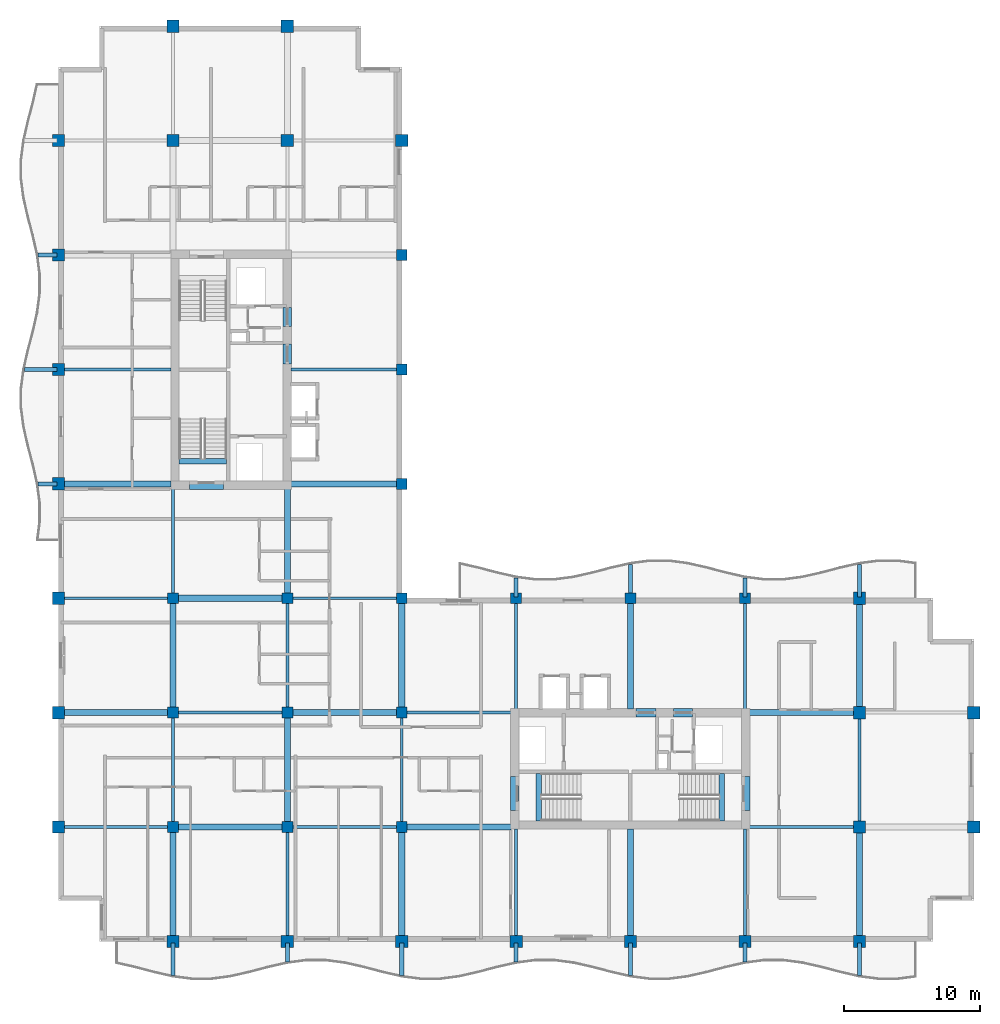
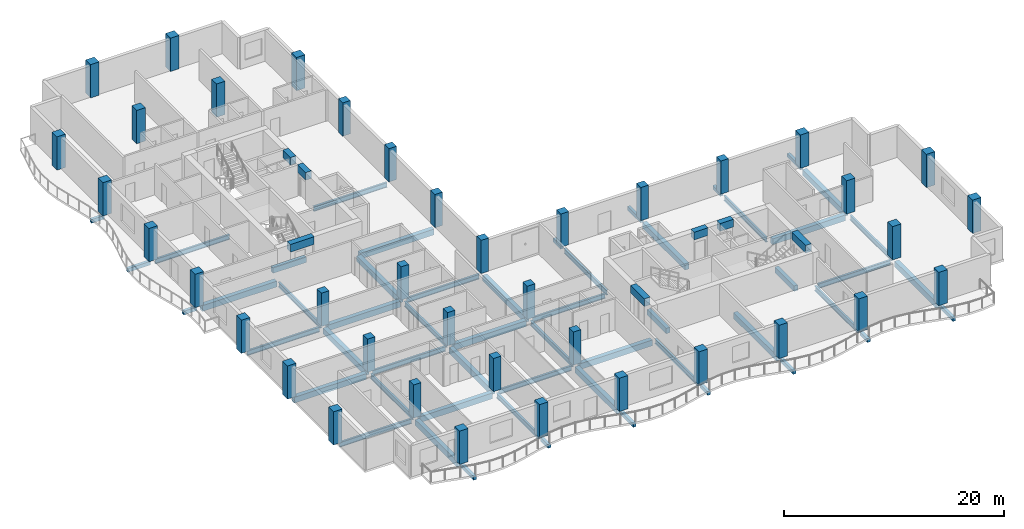
# One storey, part 1 of 12: 61 beams, 39 columns.
"""IFC4 building model written with IfcOpenShell, lengths in metres."""

from ifc_helpers import new_model, si_unit, direction, frame, origin, origin_2d, place, context, subcontext, project, spatial, rectangle, i_section, extrude, material, material_profile, profile_set, type_object, element, save


model = new_model("IFC4")

# Units and contexts
model_context = context("Model", 3, precision=1e-05, world=origin(), true_north=direction((0.0, 1.0)))
body_context = subcontext(model_context, "Body", "Model", "MODEL_VIEW")
ifc_project = project(units=[si_unit("LENGTHUNIT", "METRE"), si_unit("AREAUNIT", "SQUARE_METRE"), si_unit("VOLUMEUNIT", "CUBIC_METRE"), si_unit("PLANEANGLEUNIT", "RADIAN"), si_unit("MASSUNIT", "GRAM", prefix="KILO")], contexts=[model_context])

# Site, building, storey
site_placement = place(None, origin())
site = spatial("IfcSite", under=ifc_project, at=site_placement, CompositionType="ELEMENT")
building_placement = place(site_placement, origin())
building = spatial("IfcBuilding", under=site, at=building_placement, Name="Koriwani Terraces Tower", CompositionType="ELEMENT")
storey_placement = place(building_placement, frame((0.0, 0.0, 263.800048828125)))
storey = spatial("IfcBuildingStorey", under=building, at=storey_placement, Name="L65", CompositionType="ELEMENT", Elevation=263.800048828125)

# Columns
ifc_material_1 = material(Name="Concrete C50/60", Category="concrete")
ifc_material_profile_1 = material_profile(ifc_material_1, rectangle(XDim=0.800048828125, YDim=0.800048828125, at=origin_2d()), Name="Concrete C50/60", Category="LoadBearing")
ifc_profile_set_1 = profile_set([ifc_material_profile_1], Name="Concrete C50/60")
column_type_1 = type_object("IfcColumnType", Name="COL_RC_800X800", PredefinedType="COLUMN", material=ifc_profile_set_1)
for number, where, z_axis, x_axis, name in (
    (1, (16.800048828125, 16.800048828125, 0.0), (0.0, 0.0, 1.0), (1.0, 0.0, 0.0), "L65 Column 3/C"),
    (2, (16.800048828125, 25.199951171875, 0.0), (0.0, 0.0, 1.0), (1.0, 0.0, 0.0), "L65 Column 3/D"),
    (3, (16.800048828125, 33.60009765625, 0.0), (0.0, 0.0, 1.0), (1.0, 0.0, 0.0), "L65 Column 3/E"),
    (4, (25.199951171875, 16.800048828125, 0.0), (0.0, 0.0, 1.0), (1.0, 0.0, 0.0), "L65 Column 4/C"),
    (5, (25.199951171875, 25.199951171875, 0.0), (0.0, 0.0, 1.0), (1.0, 0.0, 0.0), "L65 Column 4/D"),
    (6, (25.199951171875, 33.60009765625, 0.0), (0.0, 0.0, 1.0), (1.0, 0.0, 0.0), "L65 Column 4/E"),
    (7, (33.60009765625, 16.800048828125, 0.0), (0.0, 0.0, 1.0), (1.0, 0.0, 0.0), "L65 Column 5/C"),
    (8, (33.60009765625, 25.199951171875, 0.0), (0.0, 0.0, 1.0), (1.0, 0.0, 0.0), "L65 Column 5/D"),
    (9, (33.60009765625, 33.60009765625, 0.0), (0.0, 0.0, 1.0), (1.0, 0.0, 0.0), "L65 Column 5/E"),
    (10, (33.60009765625, 42.0, 0.0), (0.0, 0.0, 1.0), (1.0, 0.0, 0.0), "L65 Column 5/F"),
    (11, (33.60009765625, 50.39990234375, 0.0), (0.0, 0.0, 1.0), (1.0, 0.0, 0.0), "L65 Column 5/G"),
    (12, (33.60009765625, 58.800048828125, 0.0), (0.0, 0.0, 1.0), (1.0, 0.0, 0.0), "L65 Column 5/H"),
    (13, (42.0, 33.60009765625, 0.0), (0.0, 0.0, 1.0), (1.0, 0.0, 0.0), "L65 Column 6/E"),
    (14, (50.39990234375, 33.60009765625, 0.0), (0.0, 0.0, 1.0), (1.0, 0.0, 0.0), "L65 Column 7/E"),
    (15, (58.800048828125, 33.60009765625, 0.0), (0.0, 0.0, 1.0), (1.0, 0.0, 0.0), "L65 Column 8/E"),
):
    element("IfcColumn", number, at=place(storey_placement, frame(where, z_axis=z_axis, x_axis=x_axis)), inside=storey, type_object=column_type_1, Name=name, PredefinedType="COLUMN", context=body_context, shape_type="SweptSolid", body=[
        extrude(rectangle(XDim=0.800048828125, YDim=0.800048828125, at=origin_2d()), origin(), (0.0, 0.0, 1.0), 3.699951171875),
    ])
ifc_material_profile_2 = material_profile(ifc_material_1, rectangle(XDim=0.89990234375, YDim=0.89990234375, at=origin_2d()), Name="Concrete C50/60", Category="LoadBearing")
ifc_profile_set_2 = profile_set([ifc_material_profile_2], Name="Concrete C50/60")
column_type_2 = type_object("IfcColumnType", Name="COL_RC_900X900", PredefinedType="COLUMN", material=ifc_profile_set_2)
for number, where, z_axis, x_axis, name in (
    (16, (8.39990234375, 16.800048828125, 0.0), (0.0, 0.0, 1.0), (1.0, 0.0, 0.0), "L65 Column 2/C"),
    (17, (8.39990234375, 25.199951171875, 0.0), (0.0, 0.0, 1.0), (1.0, 0.0, 0.0), "L65 Column 2/D"),
    (18, (8.39990234375, 33.60009765625, 0.0), (0.0, 0.0, 1.0), (1.0, 0.0, 0.0), "L65 Column 2/E"),
    (19, (8.39990234375, 42.0, 0.0), (0.0, 0.0, 1.0), (1.0, 0.0, 0.0), "L65 Column 2/F"),
    (20, (8.39990234375, 50.39990234375, 0.0), (0.0, 0.0, 1.0), (1.0, 0.0, 0.0), "L65 Column 2/G"),
    (21, (8.39990234375, 58.800048828125, 0.0), (0.0, 0.0, 1.0), (1.0, 0.0, 0.0), "L65 Column 2/H"),
    (22, (8.39990234375, 67.199951171875, 0.0), (0.0, 0.0, 1.0), (1.0, 0.0, 0.0), "L65 Column 2/I"),
    (23, (16.800048828125, 8.39990234375, 0.0), (0.0, 0.0, 1.0), (1.0, 0.0, 0.0), "L65 Column 3/B"),
    (24, (16.800048828125, 67.199951171875, 0.0), (0.0, 0.0, 1.0), (1.0, 0.0, 0.0), "L65 Column 3/I"),
    (25, (16.800048828125, 75.60009765625, 0.0), (0.0, 0.0, 1.0), (1.0, 0.0, 0.0), "L65 Column 3/J"),
    (26, (25.199951171875, 8.39990234375, 0.0), (0.0, 0.0, 1.0), (1.0, 0.0, 0.0), "L65 Column 4/B"),
    (27, (25.199951171875, 67.199951171875, 0.0), (0.0, 0.0, 1.0), (1.0, 0.0, 0.0), "L65 Column 4/I"),
    (28, (25.199951171875, 75.60009765625, 0.0), (0.0, 0.0, 1.0), (1.0, 0.0, 0.0), "L65 Column 4/J"),
    (29, (33.60009765625, 8.39990234375, 0.0), (0.0, 0.0, 1.0), (1.0, 0.0, 0.0), "L65 Column 5/B"),
    (30, (33.60009765625, 67.199951171875, 0.0), (0.0, 0.0, 1.0), (1.0, 0.0, 0.0), "L65 Column 5/I"),
    (31, (42.0, 8.39990234375, 0.0), (0.0, 0.0, 1.0), (1.0, 0.0, 0.0), "L65 Column 6/B"),
    (32, (50.39990234375, 8.39990234375, 0.0), (0.0, 0.0, 1.0), (1.0, 0.0, 0.0), "L65 Column 7/B"),
    (33, (58.800048828125, 8.39990234375, 0.0), (0.0, 0.0, 1.0), (1.0, 0.0, 0.0), "L65 Column 8/B"),
    (34, (67.199951171875, 8.39990234375, 0.0), (0.0, 0.0, 1.0), (1.0, 0.0, 0.0), "L65 Column 9/B"),
    (35, (67.199951171875, 16.800048828125, 0.0), (0.0, 0.0, 1.0), (1.0, 0.0, 0.0), "L65 Column 9/C"),
    (36, (67.199951171875, 25.199951171875, 0.0), (0.0, 0.0, 1.0), (1.0, 0.0, 0.0), "L65 Column 9/D"),
    (37, (67.199951171875, 33.60009765625, 0.0), (0.0, 0.0, 1.0), (1.0, 0.0, 0.0), "L65 Column 9/E"),
    (38, (75.60009765625, 16.800048828125, 0.0), (0.0, 0.0, 1.0), (1.0, 0.0, 0.0), "L65 Column 10/C"),
    (39, (75.60009765625, 25.199951171875, 0.0), (0.0, 0.0, 1.0), (1.0, 0.0, 0.0), "L65 Column 10/D"),
):
    element("IfcColumn", number, at=place(storey_placement, frame(where, z_axis=z_axis, x_axis=x_axis)), inside=storey, type_object=column_type_2, Name=name, PredefinedType="COLUMN", context=body_context, shape_type="SweptSolid", body=[
        extrude(rectangle(XDim=0.89990234375, YDim=0.89990234375, at=origin_2d()), origin(), (0.0, 0.0, 1.0), 3.699951171875),
    ])

# Beams
ifc_material_2 = material(Name="Concrete C40/50", Category="concrete")
ifc_material_profile_3 = material_profile(ifc_material_2, rectangle(XDim=0.300048828125, YDim=0.39990234375, at=origin_2d()), Name="Concrete C40/50", Category="LoadBearing")
ifc_profile_set_3 = profile_set([ifc_material_profile_3], Name="Concrete C40/50")
beam_type_1 = type_object("IfcBeamType", Name="BEAM_RC_BALCONY_RIB_300X400", PredefinedType="JOIST", material=ifc_profile_set_3)
beam_1_placement = place(storey_placement, frame((16.800048828125, 5.907958984375, -0.429931640625), z_axis=(0.0, 1.0, 0.0), x_axis=(-1.0, 0.0, 0.0)))
element("IfcBeam", 40, at=beam_1_placement, inside=storey, type_object=beam_type_1, Name="L65 Balcony Bracket Rib S-1", PredefinedType="JOIST", context=body_context, shape_type="SweptSolid", body=[
    extrude(rectangle(XDim=0.300048828125, YDim=0.39990234375, at=origin_2d()), origin(), (0.0, 0.0, 1.0), 2.39208984375),
])
beam_2_placement = place(storey_placement, frame((25.199951171875, 6.912109375, -0.429931640625), z_axis=(0.0, 1.0, 0.0), x_axis=(-1.0, 0.0, 0.0)))
element("IfcBeam", 41, at=beam_2_placement, inside=storey, type_object=beam_type_1, Name="L65 Balcony Bracket Rib S-2", PredefinedType="JOIST", context=body_context, shape_type="SweptSolid", body=[
    extrude(rectangle(XDim=0.300048828125, YDim=0.39990234375, at=origin_2d()), origin(), (0.0, 0.0, 1.0), 1.387939453125),
])
beam_3_placement = place(storey_placement, frame((33.60009765625, 5.907958984375, -0.429931640625), z_axis=(0.0, 1.0, 0.0), x_axis=(-1.0, 0.0, 0.0)))
element("IfcBeam", 42, at=beam_3_placement, inside=storey, type_object=beam_type_1, Name="L65 Balcony Bracket Rib S-3", PredefinedType="JOIST", context=body_context, shape_type="SweptSolid", body=[
    extrude(rectangle(XDim=0.300048828125, YDim=0.39990234375, at=origin_2d()), origin(), (0.0, 0.0, 1.0), 2.39208984375),
])
beam_4_placement = place(storey_placement, frame((42.0, 6.912109375, -0.429931640625), z_axis=(0.0, 1.0, 0.0), x_axis=(-1.0, 0.0, 0.0)))
element("IfcBeam", 43, at=beam_4_placement, inside=storey, type_object=beam_type_1, Name="L65 Balcony Bracket Rib S-4", PredefinedType="JOIST", context=body_context, shape_type="SweptSolid", body=[
    extrude(rectangle(XDim=0.300048828125, YDim=0.39990234375, at=origin_2d()), origin(), (0.0, 0.0, 1.0), 1.387939453125),
])
beam_5_placement = place(storey_placement, frame((50.39990234375, 5.907958984375, -0.429931640625), z_axis=(0.0, 1.0, 0.0), x_axis=(-1.0, 0.0, 0.0)))
element("IfcBeam", 44, at=beam_5_placement, inside=storey, type_object=beam_type_1, Name="L65 Balcony Bracket Rib S-5", PredefinedType="JOIST", context=body_context, shape_type="SweptSolid", body=[
    extrude(rectangle(XDim=0.300048828125, YDim=0.39990234375, at=origin_2d()), origin(), (0.0, 0.0, 1.0), 2.39208984375),
])
beam_6_placement = place(storey_placement, frame((58.800048828125, 6.912109375, -0.429931640625), z_axis=(0.0, 1.0, 0.0), x_axis=(-1.0, 0.0, 0.0)))
element("IfcBeam", 45, at=beam_6_placement, inside=storey, type_object=beam_type_1, Name="L65 Balcony Bracket Rib S-6", PredefinedType="JOIST", context=body_context, shape_type="SweptSolid", body=[
    extrude(rectangle(XDim=0.300048828125, YDim=0.39990234375, at=origin_2d()), origin(), (0.0, 0.0, 1.0), 1.387939453125),
])
beam_7_placement = place(storey_placement, frame((67.199951171875, 5.907958984375, -0.429931640625), z_axis=(0.0, 1.0, 0.0), x_axis=(-1.0, 0.0, 0.0)))
element("IfcBeam", 46, at=beam_7_placement, inside=storey, type_object=beam_type_1, Name="L65 Balcony Bracket Rib S-7", PredefinedType="JOIST", context=body_context, shape_type="SweptSolid", body=[
    extrude(rectangle(XDim=0.300048828125, YDim=0.39990234375, at=origin_2d()), origin(), (0.0, 0.0, 1.0), 2.39208984375),
])
beam_8_placement = place(storey_placement, frame((6.912109375, 42.0, -0.429931640625), z_axis=(1.0, 0.0, 0.0), x_axis=(0.0, 1.0, 0.0)))
element("IfcBeam", 47, at=beam_8_placement, inside=storey, type_object=beam_type_1, Name="L65 Balcony Bracket Rib W-1", PredefinedType="JOIST", context=body_context, shape_type="SweptSolid", body=[
    extrude(rectangle(XDim=0.300048828125, YDim=0.39990234375, at=origin_2d()), origin(), (0.0, 0.0, 1.0), 1.387939453125),
])
beam_9_placement = place(storey_placement, frame((5.907958984375, 50.39990234375, -0.429931640625), z_axis=(1.0, 0.0, 0.0), x_axis=(0.0, 1.0, 0.0)))
element("IfcBeam", 48, at=beam_9_placement, inside=storey, type_object=beam_type_1, Name="L65 Balcony Bracket Rib W-2", PredefinedType="JOIST", context=body_context, shape_type="SweptSolid", body=[
    extrude(rectangle(XDim=0.300048828125, YDim=0.39990234375, at=origin_2d()), origin(), (0.0, 0.0, 1.0), 2.39208984375),
])
for number, where, z_axis, x_axis, name in (
    (49, (6.912109375, 58.800048828125, -0.429931640625), (1.0, 0.0, 0.0), (0.0, 1.0, 0.0), "L65 Balcony Bracket Rib W-3"),
    (50, (42.0, 33.699951171875, -0.429931640625), (0.0, 1.0, 0.0), (-1.0, 0.0, 0.0), "L65 Balcony Bracket Rib NE-1"),
):
    element("IfcBeam", number, at=place(storey_placement, frame(where, z_axis=z_axis, x_axis=x_axis)), inside=storey, type_object=beam_type_1, Name=name, PredefinedType="JOIST", context=body_context, shape_type="SweptSolid", body=[
        extrude(rectangle(XDim=0.300048828125, YDim=0.39990234375, at=origin_2d()), origin(), (0.0, 0.0, 1.0), 1.387939453125),
    ])
beam_10_placement = place(storey_placement, frame((50.39990234375, 33.699951171875, -0.429931640625), z_axis=(0.0, 1.0, 0.0), x_axis=(-1.0, 0.0, 0.0)))
element("IfcBeam", 51, at=beam_10_placement, inside=storey, type_object=beam_type_1, Name="L65 Balcony Bracket Rib NE-2", PredefinedType="JOIST", context=body_context, shape_type="SweptSolid", body=[
    extrude(rectangle(XDim=0.300048828125, YDim=0.39990234375, at=origin_2d()), origin(), (0.0, 0.0, 1.0), 2.39208984375),
])
beam_11_placement = place(storey_placement, frame((58.800048828125, 33.699951171875, -0.429931640625), z_axis=(0.0, 1.0, 0.0), x_axis=(-1.0, 0.0, 0.0)))
element("IfcBeam", 52, at=beam_11_placement, inside=storey, type_object=beam_type_1, Name="L65 Balcony Bracket Rib NE-3", PredefinedType="JOIST", context=body_context, shape_type="SweptSolid", body=[
    extrude(rectangle(XDim=0.300048828125, YDim=0.39990234375, at=origin_2d()), origin(), (0.0, 0.0, 1.0), 1.387939453125),
])
beam_12_placement = place(storey_placement, frame((67.199951171875, 33.699951171875, -0.429931640625), z_axis=(0.0, 1.0, 0.0), x_axis=(-1.0, 0.0, 0.0)))
element("IfcBeam", 53, at=beam_12_placement, inside=storey, type_object=beam_type_1, Name="L65 Balcony Bracket Rib NE-4", PredefinedType="JOIST", context=body_context, shape_type="SweptSolid", body=[
    extrude(rectangle(XDim=0.300048828125, YDim=0.39990234375, at=origin_2d()), origin(), (0.0, 0.0, 1.0), 2.39208984375),
])
ifc_material_profile_4 = material_profile(ifc_material_1, rectangle(XDim=0.60009765625, YDim=0.85009765625, at=origin_2d()), Name="Concrete C50/60", Category="LoadBearing")
ifc_profile_set_4 = profile_set([ifc_material_profile_4], Name="Concrete C50/60")
beam_type_2 = type_object("IfcBeamType", Name="BEAM_RC_COUPLING_600X850", PredefinedType="LINTEL", material=ifc_profile_set_4)
beam_13_placement = place(storey_placement, frame((25.199951171875, 50.800048828125, 3.044921875), z_axis=(0.0, 1.0, 0.0), x_axis=(-1.0, 0.0, 0.0)))
element("IfcBeam", 54, at=beam_13_placement, inside=storey, type_object=beam_type_2, Name="L65 Core Coupling Lintel Beam WE1", PredefinedType="LINTEL", context=body_context, shape_type="SweptSolid", body=[
    extrude(rectangle(XDim=0.60009765625, YDim=0.85009765625, at=origin_2d()), origin(), (0.0, 0.0, 1.0), 1.47998046875),
])
beam_14_placement = place(storey_placement, frame((25.199951171875, 53.550048828125, 3.044921875), z_axis=(0.0, 1.0, 0.0), x_axis=(-1.0, 0.0, 0.0)))
element("IfcBeam", 55, at=beam_14_placement, inside=storey, type_object=beam_type_2, Name="L65 Core Coupling Lintel Beam WE2", PredefinedType="LINTEL", context=body_context, shape_type="SweptSolid", body=[
    extrude(rectangle(XDim=0.60009765625, YDim=0.85009765625, at=origin_2d()), origin(), (0.0, 0.0, 1.0), 1.39990234375),
])
beam_15_placement = place(storey_placement, frame((18.0, 41.89990234375, 3.044921875), z_axis=(1.0, 0.0, 0.0), x_axis=(0.0, 1.0, 0.0)))
element("IfcBeam", 56, at=beam_15_placement, inside=storey, type_object=beam_type_2, Name="L65 Core Coupling Lintel Beam WS", PredefinedType="LINTEL", context=body_context, shape_type="SweptSolid", body=[
    extrude(rectangle(XDim=0.60009765625, YDim=0.85009765625, at=origin_2d()), origin(), (0.0, 0.0, 1.0), 2.5),
])
beam_16_placement = place(storey_placement, frame((50.800048828125, 25.199951171875, 3.044921875), z_axis=(1.0, 0.0, 0.0), x_axis=(0.0, 1.0, 0.0)))
element("IfcBeam", 57, at=beam_16_placement, inside=storey, type_object=beam_type_2, Name="L65 Core Coupling Lintel Beam EN1", PredefinedType="LINTEL", context=body_context, shape_type="SweptSolid", body=[
    extrude(rectangle(XDim=0.60009765625, YDim=0.85009765625, at=origin_2d()), origin(), (0.0, 0.0, 1.0), 1.47998046875),
])
beam_17_placement = place(storey_placement, frame((53.550048828125, 25.199951171875, 3.044921875), z_axis=(1.0, 0.0, 0.0), x_axis=(0.0, 1.0, 0.0)))
element("IfcBeam", 58, at=beam_17_placement, inside=storey, type_object=beam_type_2, Name="L65 Core Coupling Lintel Beam EN2", PredefinedType="LINTEL", context=body_context, shape_type="SweptSolid", body=[
    extrude(rectangle(XDim=0.60009765625, YDim=0.85009765625, at=origin_2d()), origin(), (0.0, 0.0, 1.0), 1.39990234375),
])
for number, where, z_axis, x_axis, name in (
    (59, (41.89990234375, 18.0, 3.044921875), (0.0, 1.0, 0.0), (-1.0, 0.0, 0.0), "L65 Core Coupling Lintel Beam EW"),
    (60, (58.85009765625, 18.0, 3.044921875), (0.0, 1.0, 0.0), (-1.0, 0.0, 0.0), "L65 Core Coupling Lintel Beam EE"),
):
    element("IfcBeam", number, at=place(storey_placement, frame(where, z_axis=z_axis, x_axis=x_axis)), inside=storey, type_object=beam_type_2, Name=name, PredefinedType="LINTEL", context=body_context, shape_type="SweptSolid", body=[
        extrude(rectangle(XDim=0.60009765625, YDim=0.85009765625, at=origin_2d()), origin(), (0.0, 0.0, 1.0), 2.5),
    ])
ifc_material_profile_5 = material_profile(ifc_material_2, rectangle(XDim=0.39990234375, YDim=0.60009765625, at=origin_2d()), Name="Concrete C40/50", Category="LoadBearing")
ifc_profile_set_5 = profile_set([ifc_material_profile_5], Name="Concrete C40/50")
beam_type_3 = type_object("IfcBeamType", Name="BEAM_RC_GRID_400X600", PredefinedType="BEAM", material=ifc_profile_set_5)
for number, where, z_axis, x_axis, name in (
    (61, (17.25, 43.655029296875, -0.300048828125), (1.0, 0.0, 0.0), (0.0, 1.0, 0.0), "L65 Stairwell Header Trimmer Beam ST-W1"),
    (62, (43.655029296875, 17.25, -0.300048828125), (0.0, 1.0, 0.0), (-1.0, 0.0, 0.0), "L65 Stairwell Header Trimmer Beam ST-E1"),
    (63, (57.094970703125, 17.25, -0.300048828125), (0.0, 1.0, 0.0), (-1.0, 0.0, 0.0), "L65 Stairwell Header Trimmer Beam ST-E2"),
):
    element("IfcBeam", number, at=place(storey_placement, frame(where, z_axis=z_axis, x_axis=x_axis)), inside=storey, type_object=beam_type_3, Name=name, PredefinedType="BEAM", context=body_context, shape_type="SweptSolid", body=[
        extrude(rectangle(XDim=0.39990234375, YDim=0.60009765625, at=origin_2d()), origin(), (0.0, 0.0, 1.0), 3.5),
    ])
ifc_material_profile_6 = material_profile(ifc_material_1, rectangle(XDim=0.449951171875, YDim=0.64990234375, at=origin_2d()), Name="Concrete C50/60", Category="LoadBearing")
ifc_profile_set_6 = profile_set([ifc_material_profile_6], Name="Concrete C50/60")
beam_type_4 = type_object("IfcBeamType", Name="BEAM_RC_GRID_450X650", PredefinedType="BEAM", material=ifc_profile_set_6)
for number, where, z_axis, x_axis, name in (
    (64, (17.179931640625, 16.800048828125, -0.554931640625), (1.0, 0.0, 0.0), (0.0, 1.0, 0.0), "L65 Grid Beam C (16.8-25.2m)"),
    (65, (33.97998046875, 16.800048828125, -0.554931640625), (1.0, 0.0, 0.0), (0.0, 1.0, 0.0), "L65 Grid Beam C (33.6-42.0m)"),
):
    element("IfcBeam", number, at=place(storey_placement, frame(where, z_axis=z_axis, x_axis=x_axis)), inside=storey, type_object=beam_type_4, Name=name, PredefinedType="BEAM", context=body_context, shape_type="SweptSolid", body=[
        extrude(rectangle(XDim=0.449951171875, YDim=0.64990234375, at=origin_2d()), origin(), (0.0, 0.0, 1.0), 7.64013671875),
    ])
beam_18_placement = place(storey_placement, frame((8.830078125, 25.199951171875, -0.554931640625), z_axis=(1.0, 0.0, 0.0), x_axis=(0.0, 1.0, 0.0)))
element("IfcBeam", 66, at=beam_18_placement, inside=storey, type_object=beam_type_4, Name="L65 Grid Beam D (8.4-16.8m)", PredefinedType="BEAM", context=body_context, shape_type="SweptSolid", body=[
    extrude(rectangle(XDim=0.449951171875, YDim=0.64990234375, at=origin_2d()), origin(), (0.0, 0.0, 1.0), 7.58984375),
])
beam_19_placement = place(storey_placement, frame((25.580078125, 25.199951171875, -0.554931640625), z_axis=(1.0, 0.0, 0.0), x_axis=(0.0, 1.0, 0.0)))
element("IfcBeam", 67, at=beam_19_placement, inside=storey, type_object=beam_type_4, Name="L65 Grid Beam D (25.2-33.6m)", PredefinedType="BEAM", context=body_context, shape_type="SweptSolid", body=[
    extrude(rectangle(XDim=0.449951171875, YDim=0.64990234375, at=origin_2d()), origin(), (0.0, 0.0, 1.0), 7.639892578125),
])
for number, where, z_axis, x_axis, name in (
    (68, (59.1298828125, 25.199951171875, -0.554931640625), (1.0, 0.0, 0.0), (0.0, 1.0, 0.0), "L65 Grid Beam D (58.8-67.2m)"),
    (69, (17.179931640625, 33.60009765625, -0.554931640625), (1.0, 0.0, 0.0), (0.0, 1.0, 0.0), "L65 Grid Beam E (16.8-25.2m)"),
):
    element("IfcBeam", number, at=place(storey_placement, frame(where, z_axis=z_axis, x_axis=x_axis)), inside=storey, type_object=beam_type_4, Name=name, PredefinedType="BEAM", context=body_context, shape_type="SweptSolid", body=[
        extrude(rectangle(XDim=0.449951171875, YDim=0.64990234375, at=origin_2d()), origin(), (0.0, 0.0, 1.0), 7.64013671875),
    ])
beam_20_placement = place(storey_placement, frame((8.830078125, 42.0, -0.554931640625), z_axis=(1.0, 0.0, 0.0), x_axis=(0.0, 1.0, 0.0)))
element("IfcBeam", 70, at=beam_20_placement, inside=storey, type_object=beam_type_4, Name="L65 Grid Beam F (8.4-16.8m)", PredefinedType="BEAM", context=body_context, shape_type="SweptSolid", body=[
    extrude(rectangle(XDim=0.449951171875, YDim=0.64990234375, at=origin_2d()), origin(), (0.0, 0.0, 1.0), 7.83984375),
])
beam_21_placement = place(storey_placement, frame((25.47998046875, 42.0, -0.554931640625), z_axis=(1.0, 0.0, 0.0), x_axis=(0.0, 1.0, 0.0)))
element("IfcBeam", 71, at=beam_21_placement, inside=storey, type_object=beam_type_4, Name="L65 Grid Beam F (25.2-33.6m)", PredefinedType="BEAM", context=body_context, shape_type="SweptSolid", body=[
    extrude(rectangle(XDim=0.449951171875, YDim=0.64990234375, at=origin_2d()), origin(), (0.0, 0.0, 1.0), 7.739990234375),
])
beam_22_placement = place(storey_placement, frame((16.800048828125, 8.830078125, -0.554931640625), z_axis=(0.0, 1.0, 0.0), x_axis=(-1.0, 0.0, 0.0)))
element("IfcBeam", 72, at=beam_22_placement, inside=storey, type_object=beam_type_4, Name="L65 Grid Beam 3 (8.4-16.8m)", PredefinedType="BEAM", context=body_context, shape_type="SweptSolid", body=[
    extrude(rectangle(XDim=0.449951171875, YDim=0.64990234375, at=origin_2d()), origin(), (0.0, 0.0, 1.0), 7.58984375),
])
beam_23_placement = place(storey_placement, frame((16.800048828125, 25.580078125, -0.554931640625), z_axis=(0.0, 1.0, 0.0), x_axis=(-1.0, 0.0, 0.0)))
element("IfcBeam", 73, at=beam_23_placement, inside=storey, type_object=beam_type_4, Name="L65 Grid Beam 3 (25.2-33.6m)", PredefinedType="BEAM", context=body_context, shape_type="SweptSolid", body=[
    extrude(rectangle(XDim=0.449951171875, YDim=0.64990234375, at=origin_2d()), origin(), (0.0, 0.0, 1.0), 7.639892578125),
])
for number, where, z_axis, x_axis, name in (
    (74, (25.199951171875, 17.179931640625, -0.554931640625), (0.0, 1.0, 0.0), (-1.0, 0.0, 0.0), "L65 Grid Beam 4 (16.8-25.2m)"),
    (75, (25.199951171875, 33.97998046875, -0.554931640625), (0.0, 1.0, 0.0), (-1.0, 0.0, 0.0), "L65 Grid Beam 4 (33.6-42.0m)"),
):
    element("IfcBeam", number, at=place(storey_placement, frame(where, z_axis=z_axis, x_axis=x_axis)), inside=storey, type_object=beam_type_4, Name=name, PredefinedType="BEAM", context=body_context, shape_type="SweptSolid", body=[
        extrude(rectangle(XDim=0.449951171875, YDim=0.64990234375, at=origin_2d()), origin(), (0.0, 0.0, 1.0), 7.64013671875),
    ])
beam_24_placement = place(storey_placement, frame((33.60009765625, 8.830078125, -0.554931640625), z_axis=(0.0, 1.0, 0.0), x_axis=(-1.0, 0.0, 0.0)))
element("IfcBeam", 76, at=beam_24_placement, inside=storey, type_object=beam_type_4, Name="L65 Grid Beam 5 (8.4-16.8m)", PredefinedType="BEAM", context=body_context, shape_type="SweptSolid", body=[
    extrude(rectangle(XDim=0.449951171875, YDim=0.64990234375, at=origin_2d()), origin(), (0.0, 0.0, 1.0), 7.58984375),
])
beam_25_placement = place(storey_placement, frame((33.60009765625, 25.580078125, -0.554931640625), z_axis=(0.0, 1.0, 0.0), x_axis=(-1.0, 0.0, 0.0)))
element("IfcBeam", 77, at=beam_25_placement, inside=storey, type_object=beam_type_4, Name="L65 Grid Beam 5 (25.2-33.6m)", PredefinedType="BEAM", context=body_context, shape_type="SweptSolid", body=[
    extrude(rectangle(XDim=0.449951171875, YDim=0.64990234375, at=origin_2d()), origin(), (0.0, 0.0, 1.0), 7.639892578125),
])
beam_26_placement = place(storey_placement, frame((50.39990234375, 8.830078125, -0.554931640625), z_axis=(0.0, 1.0, 0.0), x_axis=(-1.0, 0.0, 0.0)))
element("IfcBeam", 78, at=beam_26_placement, inside=storey, type_object=beam_type_4, Name="L65 Grid Beam 7 (8.4-16.8m)", PredefinedType="BEAM", context=body_context, shape_type="SweptSolid", body=[
    extrude(rectangle(XDim=0.449951171875, YDim=0.64990234375, at=origin_2d()), origin(), (0.0, 0.0, 1.0), 7.83984375),
])
beam_27_placement = place(storey_placement, frame((50.39990234375, 25.47998046875, -0.554931640625), z_axis=(0.0, 1.0, 0.0), x_axis=(-1.0, 0.0, 0.0)))
element("IfcBeam", 79, at=beam_27_placement, inside=storey, type_object=beam_type_4, Name="L65 Grid Beam 7 (25.2-33.6m)", PredefinedType="BEAM", context=body_context, shape_type="SweptSolid", body=[
    extrude(rectangle(XDim=0.449951171875, YDim=0.64990234375, at=origin_2d()), origin(), (0.0, 0.0, 1.0), 7.739990234375),
])
for number, where, z_axis, x_axis, name in (
    (80, (67.199951171875, 8.830078125, -0.554931640625), (0.0, 1.0, 0.0), (-1.0, 0.0, 0.0), "L65 Grid Beam 9 (8.4-16.8m)"),
    (81, (67.199951171875, 25.6298828125, -0.554931640625), (0.0, 1.0, 0.0), (-1.0, 0.0, 0.0), "L65 Grid Beam 9 (25.2-33.6m)"),
):
    element("IfcBeam", number, at=place(storey_placement, frame(where, z_axis=z_axis, x_axis=x_axis)), inside=storey, type_object=beam_type_4, Name=name, PredefinedType="BEAM", context=body_context, shape_type="SweptSolid", body=[
        extrude(rectangle(XDim=0.449951171875, YDim=0.64990234375, at=origin_2d()), origin(), (0.0, 0.0, 1.0), 7.5400390625),
    ])
ifc_material_3 = material(Name="Steel ASTM A572 Grade 50", Category="steel")
ifc_material_profile_7 = material_profile(ifc_material_3, i_section(OverallWidth=0.2109375, OverallDepth=0.5390625, WebThickness=0.01171875, FlangeThickness=0.018798828125, at=origin_2d()), Name="Steel ASTM A572 Grade 50", Category="LoadBearing")
ifc_profile_set_7 = profile_set([ifc_material_profile_7], Name="Steel ASTM A572 Grade 50")
beam_type_5 = type_object("IfcBeamType", Name="STEEL_BEAM_W530X109", PredefinedType="BEAM", material=ifc_profile_set_7)
beam_28_placement = place(storey_placement, frame((8.830078125, 16.800048828125, -0.49951171875), z_axis=(1.0, 0.0, 0.0), x_axis=(0.0, 1.0, 0.0)))
element("IfcBeam", 82, at=beam_28_placement, inside=storey, type_object=beam_type_5, Name="L65 Grid Beam C (8.4-16.8m)", PredefinedType="BEAM", context=body_context, shape_type="SweptSolid", body=[
    extrude(i_section(OverallWidth=0.2109375, OverallDepth=0.5390625, WebThickness=0.01171875, FlangeThickness=0.018798828125, at=origin_2d()), origin(), (0.0, 0.0, 1.0), 7.58984375),
])
beam_29_placement = place(storey_placement, frame((25.580078125, 16.800048828125, -0.49951171875), z_axis=(1.0, 0.0, 0.0), x_axis=(0.0, 1.0, 0.0)))
element("IfcBeam", 83, at=beam_29_placement, inside=storey, type_object=beam_type_5, Name="L65 Grid Beam C (25.2-33.6m)", PredefinedType="BEAM", context=body_context, shape_type="SweptSolid", body=[
    extrude(i_section(OverallWidth=0.2109375, OverallDepth=0.5390625, WebThickness=0.01171875, FlangeThickness=0.018798828125, at=origin_2d()), origin(), (0.0, 0.0, 1.0), 7.639892578125),
])
for number, where, z_axis, x_axis, name in (
    (84, (59.1298828125, 16.800048828125, -0.49951171875), (1.0, 0.0, 0.0), (0.0, 1.0, 0.0), "L65 Grid Beam C (58.8-67.2m)"),
    (85, (17.179931640625, 25.199951171875, -0.49951171875), (1.0, 0.0, 0.0), (0.0, 1.0, 0.0), "L65 Grid Beam D (16.8-25.2m)"),
    (86, (33.97998046875, 25.199951171875, -0.49951171875), (1.0, 0.0, 0.0), (0.0, 1.0, 0.0), "L65 Grid Beam D (33.6-42.0m)"),
):
    element("IfcBeam", number, at=place(storey_placement, frame(where, z_axis=z_axis, x_axis=x_axis)), inside=storey, type_object=beam_type_5, Name=name, PredefinedType="BEAM", context=body_context, shape_type="SweptSolid", body=[
        extrude(i_section(OverallWidth=0.2109375, OverallDepth=0.5390625, WebThickness=0.01171875, FlangeThickness=0.018798828125, at=origin_2d()), origin(), (0.0, 0.0, 1.0), 7.64013671875),
    ])
beam_30_placement = place(storey_placement, frame((8.830078125, 33.60009765625, -0.49951171875), z_axis=(1.0, 0.0, 0.0), x_axis=(0.0, 1.0, 0.0)))
element("IfcBeam", 87, at=beam_30_placement, inside=storey, type_object=beam_type_5, Name="L65 Grid Beam E (8.4-16.8m)", PredefinedType="BEAM", context=body_context, shape_type="SweptSolid", body=[
    extrude(i_section(OverallWidth=0.2109375, OverallDepth=0.5390625, WebThickness=0.01171875, FlangeThickness=0.018798828125, at=origin_2d()), origin(), (0.0, 0.0, 1.0), 7.58984375),
])
beam_31_placement = place(storey_placement, frame((25.580078125, 33.60009765625, -0.49951171875), z_axis=(1.0, 0.0, 0.0), x_axis=(0.0, 1.0, 0.0)))
element("IfcBeam", 88, at=beam_31_placement, inside=storey, type_object=beam_type_5, Name="L65 Grid Beam E (25.2-33.6m)", PredefinedType="BEAM", context=body_context, shape_type="SweptSolid", body=[
    extrude(i_section(OverallWidth=0.2109375, OverallDepth=0.5390625, WebThickness=0.01171875, FlangeThickness=0.018798828125, at=origin_2d()), origin(), (0.0, 0.0, 1.0), 7.639892578125),
])
beam_32_placement = place(storey_placement, frame((8.830078125, 50.39990234375, -0.49951171875), z_axis=(1.0, 0.0, 0.0), x_axis=(0.0, 1.0, 0.0)))
element("IfcBeam", 89, at=beam_32_placement, inside=storey, type_object=beam_type_5, Name="L65 Grid Beam G (8.4-16.8m)", PredefinedType="BEAM", context=body_context, shape_type="SweptSolid", body=[
    extrude(i_section(OverallWidth=0.2109375, OverallDepth=0.5390625, WebThickness=0.01171875, FlangeThickness=0.018798828125, at=origin_2d()), origin(), (0.0, 0.0, 1.0), 7.83984375),
])
beam_33_placement = place(storey_placement, frame((25.47998046875, 50.39990234375, -0.49951171875), z_axis=(1.0, 0.0, 0.0), x_axis=(0.0, 1.0, 0.0)))
element("IfcBeam", 90, at=beam_33_placement, inside=storey, type_object=beam_type_5, Name="L65 Grid Beam G (25.2-33.6m)", PredefinedType="BEAM", context=body_context, shape_type="SweptSolid", body=[
    extrude(i_section(OverallWidth=0.2109375, OverallDepth=0.5390625, WebThickness=0.01171875, FlangeThickness=0.018798828125, at=origin_2d()), origin(), (0.0, 0.0, 1.0), 7.739990234375),
])
for number, where, z_axis, x_axis, name in (
    (91, (16.800048828125, 17.179931640625, -0.49951171875), (0.0, 1.0, 0.0), (-1.0, 0.0, 0.0), "L65 Grid Beam 3 (16.8-25.2m)"),
    (92, (16.800048828125, 33.97998046875, -0.49951171875), (0.0, 1.0, 0.0), (-1.0, 0.0, 0.0), "L65 Grid Beam 3 (33.6-42.0m)"),
):
    element("IfcBeam", number, at=place(storey_placement, frame(where, z_axis=z_axis, x_axis=x_axis)), inside=storey, type_object=beam_type_5, Name=name, PredefinedType="BEAM", context=body_context, shape_type="SweptSolid", body=[
        extrude(i_section(OverallWidth=0.2109375, OverallDepth=0.5390625, WebThickness=0.01171875, FlangeThickness=0.018798828125, at=origin_2d()), origin(), (0.0, 0.0, 1.0), 7.64013671875),
    ])
beam_34_placement = place(storey_placement, frame((25.199951171875, 8.830078125, -0.49951171875), z_axis=(0.0, 1.0, 0.0), x_axis=(-1.0, 0.0, 0.0)))
element("IfcBeam", 93, at=beam_34_placement, inside=storey, type_object=beam_type_5, Name="L65 Grid Beam 4 (8.4-16.8m)", PredefinedType="BEAM", context=body_context, shape_type="SweptSolid", body=[
    extrude(i_section(OverallWidth=0.2109375, OverallDepth=0.5390625, WebThickness=0.01171875, FlangeThickness=0.018798828125, at=origin_2d()), origin(), (0.0, 0.0, 1.0), 7.58984375),
])
beam_35_placement = place(storey_placement, frame((25.199951171875, 25.580078125, -0.49951171875), z_axis=(0.0, 1.0, 0.0), x_axis=(-1.0, 0.0, 0.0)))
element("IfcBeam", 94, at=beam_35_placement, inside=storey, type_object=beam_type_5, Name="L65 Grid Beam 4 (25.2-33.6m)", PredefinedType="BEAM", context=body_context, shape_type="SweptSolid", body=[
    extrude(i_section(OverallWidth=0.2109375, OverallDepth=0.5390625, WebThickness=0.01171875, FlangeThickness=0.018798828125, at=origin_2d()), origin(), (0.0, 0.0, 1.0), 7.639892578125),
])
beam_36_placement = place(storey_placement, frame((33.60009765625, 17.179931640625, -0.49951171875), z_axis=(0.0, 1.0, 0.0), x_axis=(-1.0, 0.0, 0.0)))
element("IfcBeam", 95, at=beam_36_placement, inside=storey, type_object=beam_type_5, Name="L65 Grid Beam 5 (16.8-25.2m)", PredefinedType="BEAM", context=body_context, shape_type="SweptSolid", body=[
    extrude(i_section(OverallWidth=0.2109375, OverallDepth=0.5390625, WebThickness=0.01171875, FlangeThickness=0.018798828125, at=origin_2d()), origin(), (0.0, 0.0, 1.0), 7.64013671875),
])
beam_37_placement = place(storey_placement, frame((42.0, 8.830078125, -0.49951171875), z_axis=(0.0, 1.0, 0.0), x_axis=(-1.0, 0.0, 0.0)))
element("IfcBeam", 96, at=beam_37_placement, inside=storey, type_object=beam_type_5, Name="L65 Grid Beam 6 (8.4-16.8m)", PredefinedType="BEAM", context=body_context, shape_type="SweptSolid", body=[
    extrude(i_section(OverallWidth=0.2109375, OverallDepth=0.5390625, WebThickness=0.01171875, FlangeThickness=0.018798828125, at=origin_2d()), origin(), (0.0, 0.0, 1.0), 7.83984375),
])
beam_38_placement = place(storey_placement, frame((42.0, 25.47998046875, -0.49951171875), z_axis=(0.0, 1.0, 0.0), x_axis=(-1.0, 0.0, 0.0)))
element("IfcBeam", 97, at=beam_38_placement, inside=storey, type_object=beam_type_5, Name="L65 Grid Beam 6 (25.2-33.6m)", PredefinedType="BEAM", context=body_context, shape_type="SweptSolid", body=[
    extrude(i_section(OverallWidth=0.2109375, OverallDepth=0.5390625, WebThickness=0.01171875, FlangeThickness=0.018798828125, at=origin_2d()), origin(), (0.0, 0.0, 1.0), 7.739990234375),
])
beam_39_placement = place(storey_placement, frame((58.800048828125, 8.830078125, -0.49951171875), z_axis=(0.0, 1.0, 0.0), x_axis=(-1.0, 0.0, 0.0)))
element("IfcBeam", 98, at=beam_39_placement, inside=storey, type_object=beam_type_5, Name="L65 Grid Beam 8 (8.4-16.8m)", PredefinedType="BEAM", context=body_context, shape_type="SweptSolid", body=[
    extrude(i_section(OverallWidth=0.2109375, OverallDepth=0.5390625, WebThickness=0.01171875, FlangeThickness=0.018798828125, at=origin_2d()), origin(), (0.0, 0.0, 1.0), 7.83984375),
])
beam_40_placement = place(storey_placement, frame((58.800048828125, 25.47998046875, -0.49951171875), z_axis=(0.0, 1.0, 0.0), x_axis=(-1.0, 0.0, 0.0)))
element("IfcBeam", 99, at=beam_40_placement, inside=storey, type_object=beam_type_5, Name="L65 Grid Beam 8 (25.2-33.6m)", PredefinedType="BEAM", context=body_context, shape_type="SweptSolid", body=[
    extrude(i_section(OverallWidth=0.2109375, OverallDepth=0.5390625, WebThickness=0.01171875, FlangeThickness=0.018798828125, at=origin_2d()), origin(), (0.0, 0.0, 1.0), 7.739990234375),
])
beam_41_placement = place(storey_placement, frame((67.199951171875, 17.22998046875, -0.49951171875), z_axis=(0.0, 1.0, 0.0), x_axis=(-1.0, 0.0, 0.0)))
element("IfcBeam", 100, at=beam_41_placement, inside=storey, type_object=beam_type_5, Name="L65 Grid Beam 9 (16.8-25.2m)", PredefinedType="BEAM", context=body_context, shape_type="SweptSolid", body=[
    extrude(i_section(OverallWidth=0.2109375, OverallDepth=0.5390625, WebThickness=0.01171875, FlangeThickness=0.018798828125, at=origin_2d()), origin(), (0.0, 0.0, 1.0), 7.5400390625),
])

save(model, "model.ifc")
